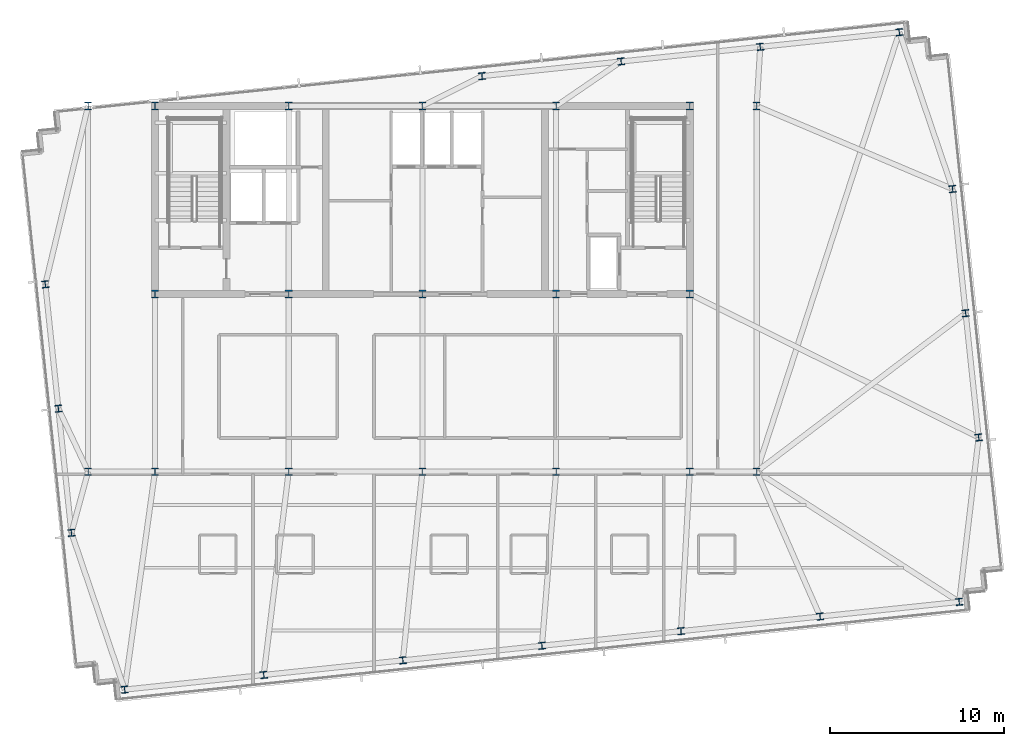
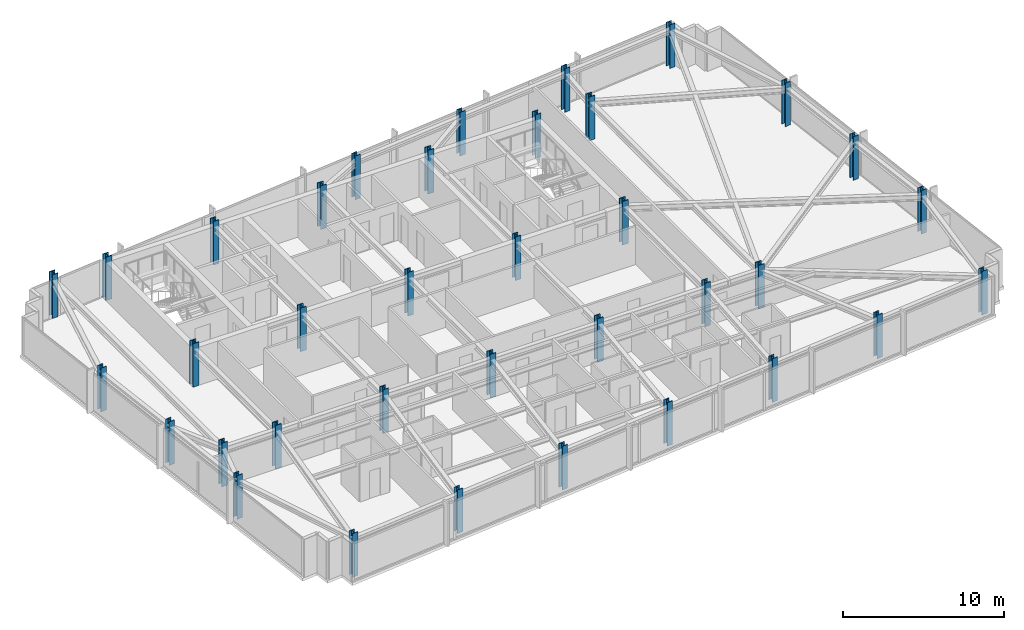
# One storey, part 1 of 33: 36 columns.
"""IFC4 building model written with IfcOpenShell, lengths in metres."""

from ifc_helpers import new_model, si_unit, direction, frame, origin, origin_2d, place, context, subcontext, project, spatial, i_section, extrude, material, material_profile, profile_set, type_object, element, save


model = new_model("IFC4")

# Units and contexts
model_context = context("Model", 3, precision=1e-05, world=origin(), true_north=direction((0.0, 1.0)))
body_context = subcontext(model_context, "Body", "Model", "MODEL_VIEW")
ifc_project = project(units=[si_unit("LENGTHUNIT", "METRE"), si_unit("AREAUNIT", "SQUARE_METRE"), si_unit("VOLUMEUNIT", "CUBIC_METRE"), si_unit("PLANEANGLEUNIT", "RADIAN"), si_unit("MASSUNIT", "GRAM", prefix="KILO")], contexts=[model_context])

# Site, building, storey
site_placement = place(None, origin())
site = spatial("IfcSite", under=ifc_project, at=site_placement, CompositionType="ELEMENT")
building_placement = place(site_placement, origin())
building = spatial("IfcBuilding", under=site, at=building_placement, Name="Yelkora Congress Tower", CompositionType="ELEMENT")
storey_placement = place(building_placement, frame((0.0, 0.0, 244.10009765625)))
storey = spatial("IfcBuildingStorey", under=building, at=storey_placement, Name="L68", CompositionType="ELEMENT", Elevation=244.10009765625)

# Columns
ifc_material_1 = material(Name="Steel S355J2", Category="steel")
ifc_material_profile_1 = material_profile(ifc_material_1, i_section(OverallWidth=0.40087890625, OverallDepth=0.39892578125, WebThickness=0.02490234375, FlangeThickness=0.03955078125, FilletRadius=0.014892578125, at=origin_2d()), Name="HD 400x314")
ifc_profile_set_1 = profile_set([ifc_material_profile_1], Name="Steel S355J2")
column_type_1 = type_object("IfcColumnType", Name="COL-HD-314-EXT", PredefinedType="COLUMN", material=ifc_profile_set_1)
for number, where, z_axis, x_axis, name in (
    (1, (21.299072265625, 12.678466796875, 0.0), (0.0, 0.0, 1.0), (0.994521895368, 0.104528463268, 0.0), "L68 Perimeter Column S01"),
    (2, (29.288330078125, 13.518310546875, 0.0), (0.0, 0.0, 1.0), (0.994521895368, 0.104528463268, 0.0), "L68 Perimeter Column S02"),
    (3, (37.277587890625, 14.35791015625, 0.0), (0.0, 0.0, 1.0), (0.994521895368, 0.104528463268, 0.0), "L68 Perimeter Column S03"),
    (4, (45.26708984375, 15.197509765625, 0.0), (0.0, 0.0, 1.0), (0.994521895368, 0.104528463268, 0.0), "L68 Perimeter Column S04"),
    (5, (53.25634765625, 16.037353515625, 0.0), (0.0, 0.0, 1.0), (0.994521895368, 0.104528463268, 0.0), "L68 Perimeter Column S05"),
    (6, (61.24560546875, 16.877197265625, 0.0), (0.0, 0.0, 1.0), (0.994521895368, 0.104528463268, 0.0), "L68 Perimeter Column S06"),
    (7, (69.235107421875, 17.716796875, 0.0), (0.0, 0.0, 1.0), (0.994521895368, 0.104528463268, 0.0), "L68 Perimeter Column S07"),
    (8, (41.828125, 47.91748046875, 0.0), (0.0, 0.0, 1.0), (0.994521895368, 0.104528463268, 0.0), "L68 Perimeter Column N04"),
    (9, (49.8173828125, 48.757080078125, 0.0), (0.0, 0.0, 1.0), (0.994521895368, 0.104528463268, 0.0), "L68 Perimeter Column N05"),
    (10, (57.806640625, 49.5966796875, 0.0), (0.0, 0.0, 1.0), (0.994521895368, 0.104528463268, 0.0), "L68 Perimeter Column N06"),
    (11, (65.7958984375, 50.4365234375, 0.0), (0.0, 0.0, 1.0), (0.994521895368, 0.104528463268, 0.0), "L68 Perimeter Column N07"),
    (12, (18.2412109375, 21.68310546875, 0.0), (0.0, 0.0, 1.0), (0.994521895368, 0.104528463268, 0.0), "L68 Perimeter Column W01"),
    (13, (70.35400390625, 27.160400390625, 0.0), (0.0, 0.0, 1.0), (0.994521895368, 0.104528463268, 0.0), "L68 Perimeter Column E01"),
    (14, (17.4912109375, 28.81884765625, 0.0), (0.0, 0.0, 1.0), (0.994521895368, 0.104528463268, 0.0), "L68 Perimeter Column W02"),
    (15, (69.60400390625, 34.296142578125, 0.0), (0.0, 0.0, 1.0), (0.994521895368, 0.104528463268, 0.0), "L68 Perimeter Column E02"),
    (16, (16.7412109375, 35.95458984375, 0.0), (0.0, 0.0, 1.0), (0.994521895368, 0.104528463268, 0.0), "L68 Perimeter Column W03"),
    (17, (68.85400390625, 41.431884765625, 0.0), (0.0, 0.0, 1.0), (0.994521895368, 0.104528463268, 0.0), "L68 Perimeter Column E03"),
):
    element("IfcColumn", number, at=place(storey_placement, frame(where, z_axis=z_axis, x_axis=x_axis)), inside=storey, type_object=column_type_1, Name=name, PredefinedType="COLUMN", context=body_context, shape_type="SweptSolid", body=[
        extrude(i_section(OverallWidth=0.40087890625, OverallDepth=0.39892578125, WebThickness=0.02490234375, FlangeThickness=0.03955078125, FilletRadius=0.014892578125, at=origin_2d()), origin(), (0.0, 0.0, 1.0), 3.2998046875),
    ])
ifc_material_2 = material(Name="Steel S460M", Category="steel")
ifc_material_profile_2 = material_profile(ifc_material_2, i_section(OverallWidth=0.412109375, OverallDepth=0.43505859375, WebThickness=0.035888671875, FlangeThickness=0.05810546875, FilletRadius=0.014892578125, at=origin_2d()), Name="HD 400x463")
ifc_profile_set_2 = profile_set([ifc_material_profile_2], Name="Steel S460M")
column_type_2 = type_object("IfcColumnType", Name="COL-HD-463", PredefinedType="COLUMN", material=ifc_profile_set_2)
for number, where, z_axis, x_axis, name in (
    (18, (23.0400390625, 35.39990234375, 0.0), (0.0, 0.0, 1.0), (1.0, 0.0, 0.0), "L68 Mega Column MC-S1"),
    (19, (23.0400390625, 46.199951171875, 0.0), (0.0, 0.0, 1.0), (1.0, 0.0, 0.0), "L68 Mega Column MC-N1"),
    (20, (23.0400390625, 25.199951171875, 0.0), (0.0, 0.0, 1.0), (1.0, 0.0, 0.0), "L68 Mega Column MC-D1"),
    (21, (30.719970703125, 35.39990234375, 0.0), (0.0, 0.0, 1.0), (1.0, 0.0, 0.0), "L68 Mega Column MC-S2"),
    (22, (30.719970703125, 46.199951171875, 0.0), (0.0, 0.0, 1.0), (1.0, 0.0, 0.0), "L68 Mega Column MC-N2"),
    (23, (30.719970703125, 25.199951171875, 0.0), (0.0, 0.0, 1.0), (1.0, 0.0, 0.0), "L68 Mega Column MC-D2"),
    (24, (38.39990234375, 35.39990234375, 0.0), (0.0, 0.0, 1.0), (1.0, 0.0, 0.0), "L68 Mega Column MC-S3"),
    (25, (38.39990234375, 46.199951171875, 0.0), (0.0, 0.0, 1.0), (1.0, 0.0, 0.0), "L68 Mega Column MC-N3"),
    (26, (38.39990234375, 25.199951171875, 0.0), (0.0, 0.0, 1.0), (1.0, 0.0, 0.0), "L68 Mega Column MC-D3"),
    (27, (46.080078125, 35.39990234375, 0.0), (0.0, 0.0, 1.0), (1.0, 0.0, 0.0), "L68 Mega Column MC-S4"),
    (28, (46.080078125, 46.199951171875, 0.0), (0.0, 0.0, 1.0), (1.0, 0.0, 0.0), "L68 Mega Column MC-N4"),
    (29, (46.080078125, 25.199951171875, 0.0), (0.0, 0.0, 1.0), (1.0, 0.0, 0.0), "L68 Mega Column MC-D4"),
    (30, (53.760009765625, 35.39990234375, 0.0), (0.0, 0.0, 1.0), (1.0, 0.0, 0.0), "L68 Mega Column MC-S5"),
    (31, (53.760009765625, 46.199951171875, 0.0), (0.0, 0.0, 1.0), (1.0, 0.0, 0.0), "L68 Mega Column MC-N5"),
    (32, (53.760009765625, 25.199951171875, 0.0), (0.0, 0.0, 1.0), (1.0, 0.0, 0.0), "L68 Mega Column MC-D5"),
    (33, (19.199951171875, 25.199951171875, 0.0), (0.0, 0.0, 1.0), (1.0, 0.0, 0.0), "L68 Mega Column MC-F1"),
    (34, (57.60009765625, 25.199951171875, 0.0), (0.0, 0.0, 1.0), (1.0, 0.0, 0.0), "L68 Mega Column MC-F2"),
    (35, (19.199951171875, 46.199951171875, 0.0), (0.0, 0.0, 1.0), (1.0, 0.0, 0.0), "L68 Mega Column MC-F3"),
    (36, (57.60009765625, 46.199951171875, 0.0), (0.0, 0.0, 1.0), (1.0, 0.0, 0.0), "L68 Mega Column MC-F4"),
):
    element("IfcColumn", number, at=place(storey_placement, frame(where, z_axis=z_axis, x_axis=x_axis)), inside=storey, type_object=column_type_2, Name=name, PredefinedType="COLUMN", context=body_context, shape_type="SweptSolid", body=[
        extrude(i_section(OverallWidth=0.412109375, OverallDepth=0.43505859375, WebThickness=0.035888671875, FlangeThickness=0.05810546875, FilletRadius=0.014892578125, at=origin_2d()), origin(), (0.0, 0.0, 1.0), 3.2998046875),
    ])

save(model, "model.ifc")
